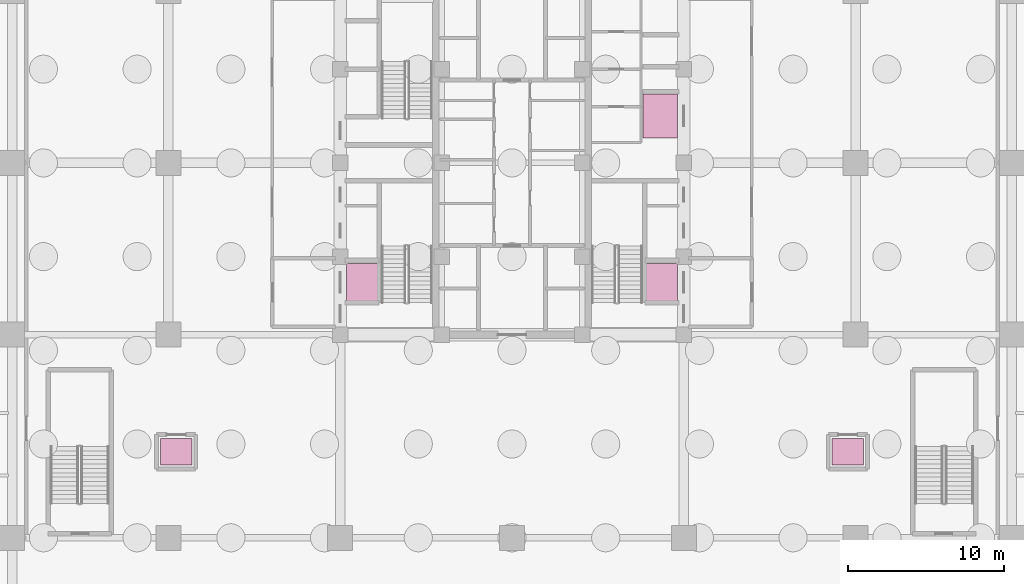
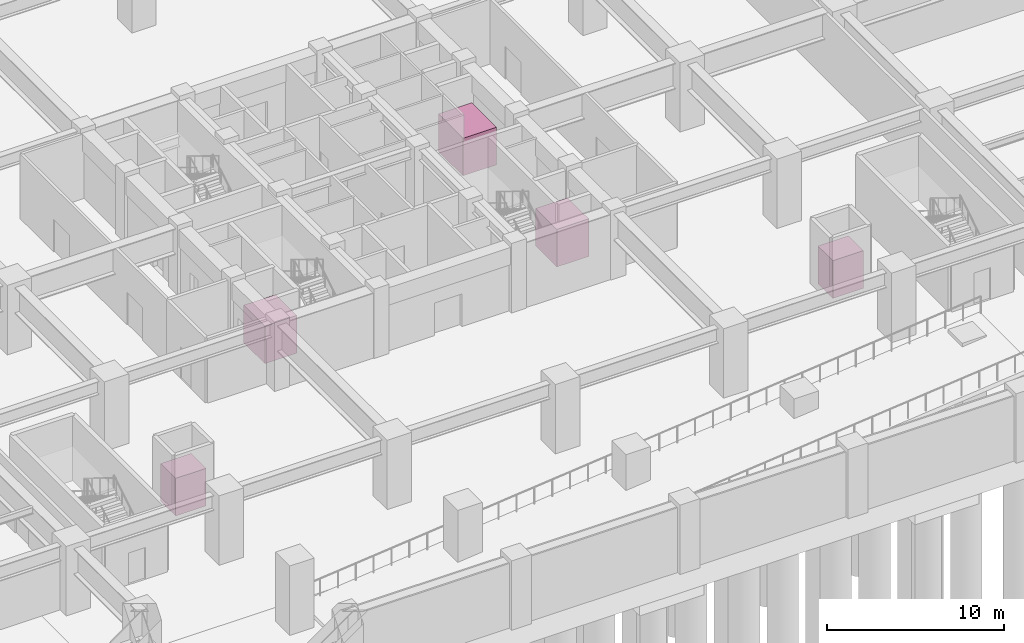
# One storey, part 13 of 13: 5 transport elements.
"""IFC4 building model written with IfcOpenShell, lengths in metres."""

from ifc_helpers import new_model, si_unit, direction, frame, origin, origin_2d, place, context, subcontext, project, spatial, rectangle, extrude, source, transform, mapped, material, type_object, element, save


model = new_model("IFC4")

# Units and contexts
model_context = context("Model", 3, precision=1e-05, world=origin(), true_north=direction((0.0, 1.0)))
body_context = subcontext(model_context, "Body", "Model", "MODEL_VIEW")
ifc_project = project(units=[si_unit("LENGTHUNIT", "METRE"), si_unit("AREAUNIT", "SQUARE_METRE"), si_unit("VOLUMEUNIT", "CUBIC_METRE"), si_unit("PLANEANGLEUNIT", "RADIAN"), si_unit("MASSUNIT", "GRAM", prefix="KILO")], contexts=[model_context])

# Site, building, storey
site_placement = place(None, origin())
site = spatial("IfcSite", under=ifc_project, at=site_placement, CompositionType="ELEMENT")
building_placement = place(site_placement, origin())
building = spatial("IfcBuilding", under=site, at=building_placement, Name="Khorayat Bourse Tower", CompositionType="ELEMENT")
storey_placement = place(building_placement, frame((0.0, 0.0, -9.60009765625)))
storey = spatial("IfcBuildingStorey", under=building, at=storey_placement, Name="B02", CompositionType="ELEMENT", Elevation=-9.60009765625)

# Transport elements
ifc_material_1 = material(Name="Brushed bronze elevator cab")
transport_element_type_1 = type_object("IfcTransportElementType", Name="LFT-PASS-1600", PredefinedType="ELEVATOR", material=ifc_material_1)
shared_shape_1 = source(origin(), body_context, "Body", "SweptSolid", [
    extrude(rectangle(XDim=2.0, YDim=1.699951171875, at=origin_2d()), origin(), (0.0, 0.0, 1.0), 2.60009765625),
])
for number, where, z_axis, x_axis, name in (
    (1, (-21.5, -18.5, 0.0), (0.0, 0.0, 1.0), (1.0, 0.0, 0.0), "Passenger Lift PL-P1 Car"),
    (2, (21.5, -18.5, 0.0), (0.0, 0.0, 1.0), (1.0, 0.0, 0.0), "Passenger Lift PL-P2 Car"),
):
    element("IfcTransportElement", number, at=place(storey_placement, frame(where, z_axis=z_axis, x_axis=x_axis)), inside=storey, type_object=transport_element_type_1, Name=name, PredefinedType="ELEVATOR", context=body_context, shape_type="MappedRepresentation", body=[
        mapped(shared_shape_1, transform((0.0, 0.0, 0.0), scale=1.0)),
    ])
ifc_material_2 = material(Name="Fire-rated stainless-steel cab", Category="steel")
transport_element_type_2 = type_object("IfcTransportElementType", Name="LFT-FIRE-2000", PredefinedType="ELEVATOR", material=ifc_material_2)
shared_shape_2 = source(origin(), body_context, "Body", "SweptSolid", [
    extrude(rectangle(XDim=2.10009765625, YDim=2.39990234375, at=origin_2d()), origin(), (0.0, 0.0, 1.0), 2.60009765625),
])
for number, where, z_axis, x_axis, name in (
    (3, (-9.550048828125, -7.64990234375, 0.0), (0.0, 0.0, 1.0), (1.0, 0.0, 0.0), "Passenger Lift FFL-01 Car"),
    (4, (9.550048828125, -7.64990234375, 0.0), (0.0, 0.0, 1.0), (1.0, 0.0, 0.0), "Passenger Lift FFL-02 Car"),
):
    element("IfcTransportElement", number, at=place(storey_placement, frame(where, z_axis=z_axis, x_axis=x_axis)), inside=storey, type_object=transport_element_type_2, Name=name, PredefinedType="ELEVATOR", context=body_context, shape_type="MappedRepresentation", body=[
        mapped(shared_shape_2, transform((0.0, 0.0, 0.0), scale=1.0)),
    ])
ifc_material_3 = material(Name="Heavy-duty stainless-steel goods cab", Category="steel")
transport_element_type_3 = type_object("IfcTransportElementType", Name="LFT-GOODS-3500", PredefinedType="ELEVATOR", material=ifc_material_3)
shared_shape_3 = source(origin(), body_context, "Body", "SweptSolid", [
    extrude(rectangle(XDim=2.199951171875, YDim=2.800048828125, at=origin_2d()), origin(), (0.0, 0.0, 1.0), 2.60009765625),
])
transport_element_placement = place(storey_placement, frame((9.5, 3.0, 0.0), z_axis=(0.0, 0.0, 1.0), x_axis=(1.0, 0.0, 0.0)))
element("IfcTransportElement", 5, at=transport_element_placement, inside=storey, type_object=transport_element_type_3, Name="Passenger Lift SVL-01 Car", PredefinedType="ELEVATOR", context=body_context, shape_type="MappedRepresentation", body=[
    mapped(shared_shape_3, transform((0.0, 0.0, 0.0), scale=1.0)),
])

save(model, "model.ifc")
